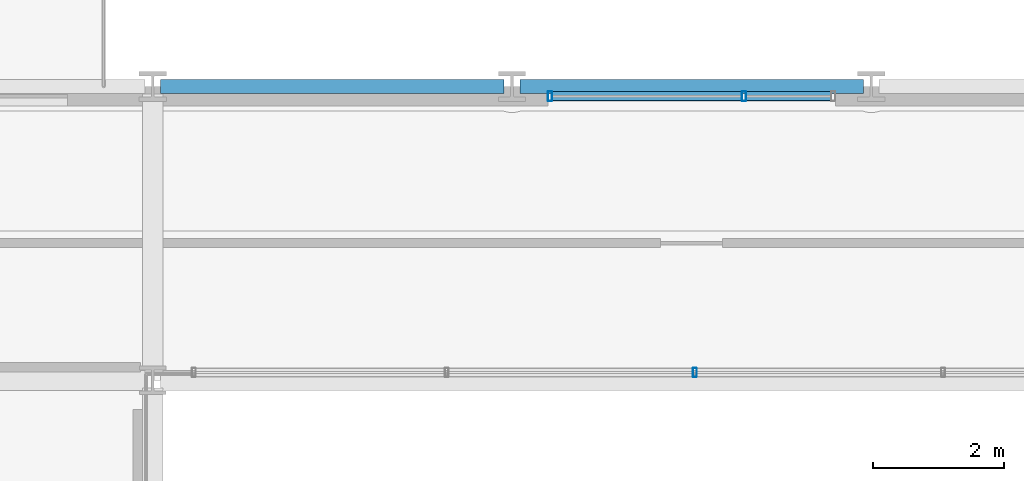
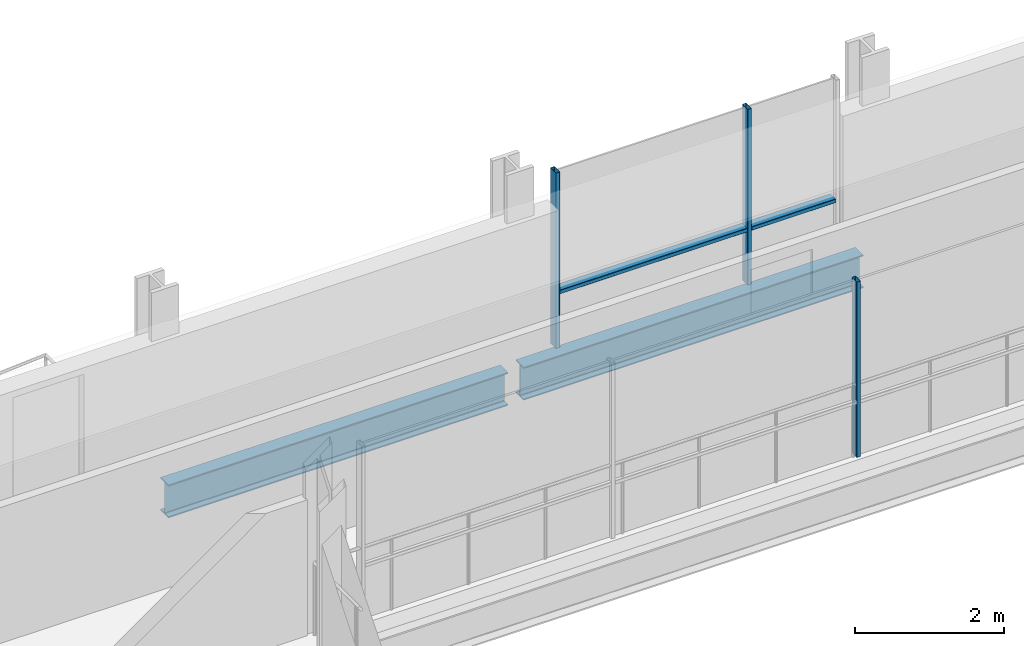
# One storey, part 11 of 39: 5 members, 2 beams, 2 elements without a shape of their own.
"""IFC4 building model written with IfcOpenShell, lengths in metres."""

import ifcopenshell
import ifcopenshell.guid

model = None  # the IFC model being written
_history = None  # IfcOwnerHistory: only IFC2X3 demands one
_inside = {}  # id of a spatial element -> (the spatial element, [elements in it])
_under = {}  # id of a project, library or spatial element -> (it, [spatial elements below it])
_declared = {}  # id of a project -> (the project, [libraries it declares])
_typed = {}  # id of a type object -> (the type object, [elements of that type])
_made_of = {}  # id of a material, layer set ... -> (it, [elements and type objects made of it])


def new_model(schema):
    """Start an empty IFC model of exactly this schema.

    Asked for "IFC4X3", IfcOpenShell would pick the latest addendum, in which some entities
    have other attributes; the version numbers below select the first issue.
    IFC2X3 requires an IfcOwnerHistory on every rooted entity: one is made here for all.
    """
    global model, _history
    if schema == "IFC4X3":
        model = ifcopenshell.file(schema_version=(4, 3, 0, 0))
    else:
        model = ifcopenshell.file(schema=schema)
    _inside.clear()
    _under.clear()
    _declared.clear()
    _typed.clear()
    _made_of.clear()
    _history = None
    if model.schema == "IFC2X3":
        org = make("IfcOrganization", Name="unknown")
        user = make(
            "IfcPersonAndOrganization",
            ThePerson=make("IfcPerson", FamilyName="unknown"),
            TheOrganization=org,
        )
        app = make(
            "IfcApplication",
            ApplicationDeveloper=org,
            Version="unknown",
            ApplicationFullName="unknown",
            ApplicationIdentifier="unknown",
        )
        _history = make(
            "IfcOwnerHistory",
            OwningUser=user,
            OwningApplication=app,
            ChangeAction="ADDED",
            CreationDate=0,
        )
    return model


def make(cls, **values):
    """One entity of the class cls with the attributes given. An attribute that is None is left unset."""
    return model.create_entity(
        cls, **{name: value for name, value in values.items() if value is not None}
    )


def rooted(cls, **values):
    """An entity with a GlobalId (a new one), such as an element, a storey or a relation."""
    return make(cls, GlobalId=ifcopenshell.guid.new(), OwnerHistory=_history, **values)


def si_unit(unit_type, name, prefix=None):
    """IfcSIUnit, for example si_unit("LENGTHUNIT", "METRE", prefix="MILLI")."""
    return make("IfcSIUnit", UnitType=unit_type, Prefix=prefix, Name=name)


def assignment(units):
    """IfcUnitAssignment: the units of a project."""
    return None if units is None else make("IfcUnitAssignment", Units=units)


def point(xyz):
    """IfcCartesianPoint."""
    return None if xyz is None else make("IfcCartesianPoint", Coordinates=xyz)


def direction(xyz):
    """IfcDirection."""
    return None if xyz is None else make("IfcDirection", DirectionRatios=xyz)


def frame(location, z_axis=None, x_axis=None):
    """IfcAxis2Placement3D, a coordinate frame: its origin and axes. An axis left out is left unset."""
    return make(
        "IfcAxis2Placement3D",
        Location=point(location),
        Axis=direction(z_axis),
        RefDirection=direction(x_axis),
    )


def frame_2d(location, x_axis=None):
    """IfcAxis2Placement2D, a coordinate frame in the plane: its origin and x axis."""
    return make(
        "IfcAxis2Placement2D", Location=point(location), RefDirection=direction(x_axis)
    )


def origin():
    """The frame at (0, 0, 0) with its axes left unset."""
    return frame((0.0, 0.0, 0.0))


def origin_2d():
    """The frame at (0, 0) in the plane with its x axis left unset."""
    return frame_2d((0.0, 0.0))


def place(relative_to, where):
    """IfcLocalPlacement: puts the frame where relative to a parent placement (None: the world)."""
    return make(
        "IfcLocalPlacement", PlacementRelTo=relative_to, RelativePlacement=where
    )


def context(
    kind, dimensions, precision=None, world=None, true_north=None, identifier=None
):
    """IfcGeometricRepresentationContext, for example the 3D "Model" context."""
    return make(
        "IfcGeometricRepresentationContext",
        ContextIdentifier=identifier,
        ContextType=kind,
        CoordinateSpaceDimension=dimensions,
        Precision=precision,
        WorldCoordinateSystem=world,
        TrueNorth=true_north,
    )


def subcontext(parent, identifier, kind, view, scale=None):
    """IfcGeometricRepresentationSubContext, for example "Body" below "Model"."""
    return make(
        "IfcGeometricRepresentationSubContext",
        ContextIdentifier=identifier,
        ContextType=kind,
        ParentContext=parent,
        TargetScale=scale,
        TargetView=view,
    )


def project(units=None, contexts=None):
    """IfcProject with its units and contexts."""
    return rooted(
        "IfcProject",
        Name="project",
        RepresentationContexts=contexts,
        UnitsInContext=assignment(units),
    )


def spatial(cls, under=None, at=None, **own):
    """A site, building, storey or space (cls), placed at a placement, below another one or the project."""
    s = rooted(cls, ObjectPlacement=at, **own)
    if under is not None:
        _under.setdefault(under.id(), (under, []))[1].append(s)
    return s


def profile(cls, at=None, kind="AREA", **sizes):
    """A parametric profile (cls). Its sizes go by their IFC names, for example OverallWidth=200.0."""
    return make(cls, ProfileType=kind, Position=at, **sizes)


def hollow_rectangle(**sizes):
    """IfcRectangleHollowProfileDef."""
    return profile("IfcRectangleHollowProfileDef", **sizes)


def i_section(**sizes):
    """IfcIShapeProfileDef."""
    return profile("IfcIShapeProfileDef", **sizes)


def extrude(swept, where, along, depth):
    """IfcExtrudedAreaSolid: the profile swept, set in the frame where, extruded along a direction by depth."""
    return make(
        "IfcExtrudedAreaSolid",
        SweptArea=swept,
        Position=where,
        ExtrudedDirection=direction(along),
        Depth=depth,
    )


def shape(context_of_items, identifier, shape_type, items):
    """IfcShapeRepresentation: the items that make up one representation, for example the "Body"."""
    return make(
        "IfcShapeRepresentation",
        ContextOfItems=context_of_items,
        RepresentationIdentifier=identifier,
        RepresentationType=shape_type,
        Items=items,
    )


def material(Name=None, Category=None):
    """IfcMaterial."""
    return make("IfcMaterial", Name=Name, Category=Category)


def layer(
    of_material, thickness, ventilated=None, Name=None, Category=None, Priority=None
):
    """IfcMaterialLayer: one layer of a wall or slab, of a material (None: an air gap)."""
    return make(
        "IfcMaterialLayer",
        Material=of_material,
        LayerThickness=thickness,
        IsVentilated=ventilated,
        Name=Name,
        Category=Category,
        Priority=Priority,
    )


def layer_set(layers, Name=None):
    """IfcMaterialLayerSet."""
    return make("IfcMaterialLayerSet", MaterialLayers=layers, LayerSetName=Name)


def material_profile(
    of_material, cross_section, Name=None, Category=None, Priority=None
):
    """IfcMaterialProfile: a cross section and its material."""
    return make(
        "IfcMaterialProfile",
        Name=Name,
        Material=of_material,
        Profile=cross_section,
        Priority=Priority,
        Category=Category,
    )


def profile_set(profiles, Name=None, composite=None):
    """IfcMaterialProfileSet."""
    return make(
        "IfcMaterialProfileSet",
        Name=Name,
        MaterialProfiles=profiles,
        CompositeProfile=composite,
    )


def made_of(thing, what):
    """Note that an element or type object is made of a material, layer set ...; save() writes the relation."""
    if what is not None:
        _made_of.setdefault(what.id(), (what, []))[1].append(thing)
    return thing


def type_object(cls, material=None, **own):
    """A type object (cls), such as IfcWallType, which elements share."""
    return made_of(rooted(cls, **own), material)


def element(
    cls,
    number,
    at=None,
    inside=None,
    cuts=None,
    type_object=None,
    material=None,
    context=None,
    identifier="Body",
    shape_type=None,
    held_by="IfcProductDefinitionShape",
    body=None,
    shapes=None,
    **own,
):
    """One element of the class cls, such as IfcWall. Its Tag is "e" and its number.

    at: its placement. inside: the storey or other place that contains it. cuts: it is an
    opening in that element (IfcRelVoidsElement). A single representation is given by context,
    identifier, shape_type and body (its items); several are given by shapes. held_by: the class
    of the entity that holds the representations. save() writes the other relations.
    """
    e = rooted(cls, Tag="e%d" % number, ObjectPlacement=at, **own)
    if body is not None:
        shapes = [shape(context, identifier, shape_type, body)]
    if shapes is not None:
        e.Representation = make(held_by, Representations=shapes)
    if inside is not None:
        _inside.setdefault(inside.id(), (inside, []))[1].append(e)
    if cuts is not None:
        rooted(
            "IfcRelVoidsElement", RelatingBuildingElement=cuts, RelatedOpeningElement=e
        )
    if type_object is not None:
        _typed.setdefault(type_object.id(), (type_object, []))[1].append(e)
    return made_of(e, material)


def aggregate(whole, parts):
    """IfcRelAggregates: a whole, such as a stair, and the parts it consists of."""
    return rooted("IfcRelAggregates", RelatingObject=whole, RelatedObjects=parts)


def save(model, path):
    """Write the relations noted so far, then the file.

    IfcRelAggregates (storeys below a building ...), IfcRelContainedInSpatialStructure (elements
    in a storey), IfcRelDefinesByType, IfcRelAssociatesMaterial and IfcRelDeclares: one each for
    every whole, place, type object, material and project.
    """
    for whole, parts in _under.values():
        aggregate(whole, parts)
    for where, things in _inside.values():
        rooted(
            "IfcRelContainedInSpatialStructure",
            RelatedElements=things,
            RelatingStructure=where,
        )
    for kind, things in _typed.values():
        rooted("IfcRelDefinesByType", RelatedObjects=things, RelatingType=kind)
    for what, things in _made_of.values():
        rooted("IfcRelAssociatesMaterial", RelatedObjects=things, RelatingMaterial=what)
    for by, libraries in _declared.values():
        rooted("IfcRelDeclares", RelatingContext=by, RelatedDefinitions=libraries)
    model.write(path)


model = new_model("IFC4")

# Units and contexts
model_context = context("Model", 3, precision=1e-05, world=origin(), true_north=direction((0.0, 1.0)))
body_context = subcontext(model_context, "Body", "Model", "MODEL_VIEW")
ifc_project = project(units=[si_unit("LENGTHUNIT", "METRE"), si_unit("AREAUNIT", "SQUARE_METRE"), si_unit("VOLUMEUNIT", "CUBIC_METRE"), si_unit("PLANEANGLEUNIT", "RADIAN"), si_unit("MASSUNIT", "GRAM", prefix="KILO")], contexts=[model_context])

# Site, building, storey
site_placement = place(None, origin())
site = spatial("IfcSite", under=ifc_project, at=site_placement, CompositionType="ELEMENT")
building_placement = place(site_placement, origin())
building = spatial("IfcBuilding", under=site, at=building_placement, Name="Brevholm Reach", CompositionType="ELEMENT")
storey_placement = place(building_placement, frame((0.0, 0.0, 90.0)))
storey = spatial("IfcBuildingStorey", under=building, at=storey_placement, Name="L26", CompositionType="ELEMENT", Elevation=90.0)

# Beams
ifc_material_1 = material(Name="Structural Steel S355J2", Category="steel")
ifc_material_profile_1 = material_profile(ifc_material_1, i_section(OverallWidth=0.210693359375, OverallDepth=0.53955078125, WebThickness=0.01171875, FlangeThickness=0.018798828125, FilletRadius=0.0126953125, at=origin_2d()), Name="UKB 533x210x109")
ifc_profile_set_1 = profile_set([ifc_material_profile_1], Name="Structural Steel S355J2")
beam_type = type_object("IfcBeamType", Name="BM-SP539", PredefinedType="SPANDREL", material=ifc_profile_set_1)
for number, where, z_axis, x_axis, name in (
    (1, (21.8701171875, 31.0, -0.499755859375), (1.0, 0.0, 0.0), (0.0, 1.0, 0.0), "L26 SP-01B Framing Beam"),
    (2, (27.3701171875, 31.0, -0.499755859375), (1.0, 0.0, 0.0), (0.0, 1.0, 0.0), "L26 SP-01B Framing Beam"),
):
    element("IfcBeam", number, at=place(storey_placement, frame(where, z_axis=z_axis, x_axis=x_axis)), inside=storey, type_object=beam_type, Name=name, PredefinedType="SPANDREL", context=body_context, shape_type="SweptSolid", body=[
        extrude(i_section(OverallWidth=0.210693359375, OverallDepth=0.53955078125, WebThickness=0.01171875, FlangeThickness=0.018798828125, FilletRadius=0.0126953125, at=origin_2d()), origin(), (0.0, 0.0, 1.0), 5.259765625),
    ])

# Curtain wall, member
ifc_material_2 = material(Name="Dark Anodised Aluminium 6063-T6 and Solar-Control Glass", Category="aluminium")
ifc_layer_1 = layer(ifc_material_2, 0.139892578125)
ifc_layer_set_1 = layer_set([ifc_layer_1], Name="Dark Anodised Aluminium 6063-T6 and Solar-Control Glass")
curtain_wall_type_1 = type_object("IfcCurtainWallType", Name="CW-02", PredefinedType="NOTDEFINED", material=ifc_layer_set_1)
curtain_wall_1_placement = place(storey_placement, origin())
curtain_wall_1 = element("IfcCurtainWall", 3, at=curtain_wall_1_placement, inside=storey, type_object=curtain_wall_type_1, Name="L26 Curtain Wall CW-02", PredefinedType="NOTDEFINED")
ifc_material_3 = material(Name="Dark Anodised Aluminium 6063-T6", Category="aluminium")
ifc_material_profile_2 = material_profile(ifc_material_3, hollow_rectangle(XDim=0.06005859375, YDim=0.139892578125, WallThickness=0.0048828125, InnerFilletRadius=0.0048828125, OuterFilletRadius=0.010009765625, at=origin_2d()), Name="RHS 140x60x5")
ifc_profile_set_2 = profile_set([ifc_material_profile_2], Name="Dark Anodised Aluminium 6063-T6")
member_type_1 = type_object("IfcMemberType", Name="CWM-140", PredefinedType="MULLION", material=ifc_profile_set_2)
member_1_placement = place(storey_placement, frame((30.050048828125, 26.6201171875, 0.0), z_axis=(0.0, 0.0, 1.0), x_axis=(-1.0, 0.0, 0.0)))
member_1 = element("IfcMember", 4, at=member_1_placement, type_object=member_type_1, Name="CM-140 Mullion 3", PredefinedType="MULLION", context=body_context, shape_type="SweptSolid", body=[
    extrude(hollow_rectangle(XDim=0.06005859375, YDim=0.139892578125, WallThickness=0.0048828125, InnerFilletRadius=0.0048828125, OuterFilletRadius=0.010009765625, at=origin_2d()), origin(), (0.0, 0.0, 1.0), 2.8701171875),
])
aggregate(curtain_wall_1, [member_1])

# Curtain wall, members
ifc_material_4 = material(Name="Dark Anodised Aluminium 6063-T6 and Solar-Control Glass", Category="aluminium")
ifc_layer_2 = layer(ifc_material_4, 0.14990234375)
ifc_layer_set_2 = layer_set([ifc_layer_2], Name="Dark Anodised Aluminium 6063-T6 and Solar-Control Glass")
curtain_wall_type_2 = type_object("IfcCurtainWallType", Name="CW-01", PredefinedType="NOTDEFINED", material=ifc_layer_set_2)
curtain_wall_2_placement = place(storey_placement, origin())
curtain_wall_2 = element("IfcCurtainWall", 5, at=curtain_wall_2_placement, inside=storey, type_object=curtain_wall_type_2, Name="L26 Curtain Wall CW-01", PredefinedType="NOTDEFINED")
ifc_material_5 = material(Name="Dark Anodised Aluminium 6063-T6", Category="aluminium")
ifc_material_profile_3 = material_profile(ifc_material_5, hollow_rectangle(XDim=0.06494140625, YDim=0.14990234375, WallThickness=0.0048828125, InnerFilletRadius=0.0048828125, OuterFilletRadius=0.010009765625, at=origin_2d()), Name="RHS 150x65x5")
ifc_profile_set_3 = profile_set([ifc_material_profile_3], Name="Dark Anodised Aluminium 6063-T6")
member_type_2 = type_object("IfcMemberType", Name="CWM-150", PredefinedType="MULLION", material=ifc_profile_set_3)
member_2_placement = place(storey_placement, frame((27.83251953125, 30.85009765625, 0.0), z_axis=(0.0, 0.0, 1.0), x_axis=(1.0, 0.0, 0.0)))
member_2 = element("IfcMember", 6, at=member_2_placement, type_object=member_type_2, Name="CM-150 Mullion 1", PredefinedType="MULLION", context=body_context, shape_type="SweptSolid", body=[
    extrude(hollow_rectangle(XDim=0.06494140625, YDim=0.14990234375, WallThickness=0.0048828125, InnerFilletRadius=0.0048828125, OuterFilletRadius=0.010009765625, at=origin_2d()), origin(), (0.0, 0.0, 1.0), 2.8701171875),
])
member_3_placement = place(storey_placement, frame((30.800048828125, 30.85009765625, 0.0), z_axis=(0.0, 0.0, 1.0), x_axis=(1.0, 0.0, 0.0)))
member_3 = element("IfcMember", 7, at=member_3_placement, type_object=member_type_2, Name="CM-150 Mullion 2", PredefinedType="MULLION", context=body_context, shape_type="SweptSolid", body=[
    extrude(hollow_rectangle(XDim=0.06494140625, YDim=0.14990234375, WallThickness=0.0048828125, InnerFilletRadius=0.0048828125, OuterFilletRadius=0.010009765625, at=origin_2d()), origin(), (0.0, 0.0, 1.0), 2.8701171875),
])
ifc_material_6 = material(Name="Dark Anodised Aluminium 6063-T6", Category="aluminium")
ifc_material_profile_4 = material_profile(ifc_material_6, hollow_rectangle(XDim=0.06494140625, YDim=0.14990234375, WallThickness=0.0048828125, InnerFilletRadius=0.0048828125, OuterFilletRadius=0.010009765625, at=origin_2d()), Name="RHS 150x65x5")
ifc_profile_set_4 = profile_set([ifc_material_profile_4], Name="Dark Anodised Aluminium 6063-T6")
member_type_3 = type_object("IfcMemberType", Name="CWT-150", PredefinedType="NOTDEFINED", material=ifc_profile_set_4)
member_4_placement = place(storey_placement, frame((27.864990234375, 30.85009765625, 0.89990234375), z_axis=(1.0, 0.0, 0.0), x_axis=(0.0, 0.0, 1.0)))
member_4 = element("IfcMember", 8, at=member_4_placement, type_object=member_type_3, Name="CT-150 Transom 1.1", ObjectType="TRANSOM", PredefinedType="USERDEFINED", context=body_context, shape_type="SweptSolid", body=[
    extrude(hollow_rectangle(XDim=0.06494140625, YDim=0.14990234375, WallThickness=0.0048828125, InnerFilletRadius=0.0048828125, OuterFilletRadius=0.010009765625, at=origin_2d()), origin(), (0.0, 0.0, 1.0), 2.902587890625),
])
member_5_placement = place(storey_placement, frame((30.83251953125, 30.85009765625, 0.89990234375), z_axis=(1.0, 0.0, 0.0), x_axis=(0.0, 0.0, 1.0)))
member_5 = element("IfcMember", 9, at=member_5_placement, type_object=member_type_3, Name="CT-150 Transom 2.1", ObjectType="TRANSOM", PredefinedType="USERDEFINED", context=body_context, shape_type="SweptSolid", body=[
    extrude(hollow_rectangle(XDim=0.06494140625, YDim=0.14990234375, WallThickness=0.0048828125, InnerFilletRadius=0.0048828125, OuterFilletRadius=0.010009765625, at=origin_2d()), origin(), (0.0, 0.0, 1.0), 1.302490234375),
])
aggregate(curtain_wall_2, [member_2, member_3, member_4, member_5])

save(model, "model.ifc")
